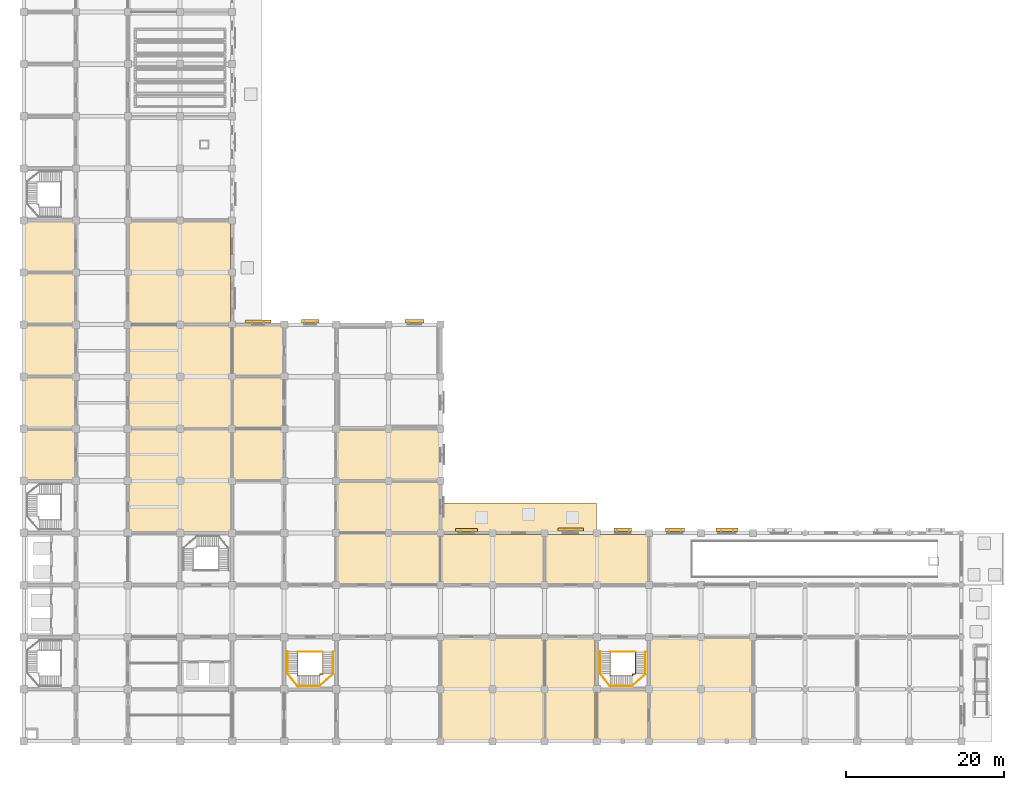
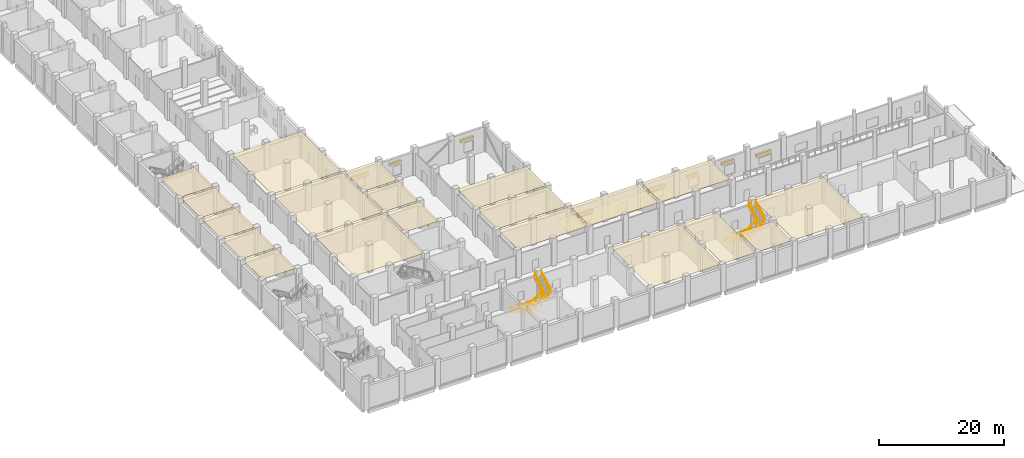
# One storey, part 25 of 28: 21 coverings, 8 shading devices, 6 railings.
"""IFC4 building model written with IfcOpenShell, lengths in metres."""

from ifc_helpers import new_model, si_unit, direction, frame, origin, origin_2d, place, context, subcontext, project, spatial, polyline, rectangle, circle, outline, extrude, material, layer, layer_set, type_object, element, save


model = new_model("IFC4")

# Units and contexts
model_context = context("Model", 3, precision=1e-05, world=origin(), true_north=direction((0.0, 1.0)))
body_context = subcontext(model_context, "Body", "Model", "MODEL_VIEW")
ifc_project = project(units=[si_unit("LENGTHUNIT", "METRE"), si_unit("AREAUNIT", "SQUARE_METRE"), si_unit("VOLUMEUNIT", "CUBIC_METRE"), si_unit("PLANEANGLEUNIT", "RADIAN"), si_unit("MASSUNIT", "GRAM", prefix="KILO")], contexts=[model_context])

# Site, building, storey
site_placement = place(None, origin())
site = spatial("IfcSite", under=ifc_project, at=site_placement, CompositionType="ELEMENT")
building_placement = place(site_placement, origin())
building = spatial("IfcBuilding", under=site, at=building_placement, Name="Rusizi Kubbe Research Institute", CompositionType="ELEMENT")
storey_placement = place(building_placement, origin())
storey = spatial("IfcBuildingStorey", under=building, at=storey_placement, Name="L00", CompositionType="ELEMENT", Elevation=0.0)

# Coverings
ifc_material_1 = material(Name="Mineral-Fibre Acoustic Laboratory Ceiling", Category="masonry")
ifc_layer_1 = layer(ifc_material_1, 0.0400390625)
ifc_layer_set_1 = layer_set([ifc_layer_1], Name="Mineral-Fibre Acoustic Laboratory Ceiling")
covering_type_1 = type_object("IfcCoveringType", Name="CL-ACOUSTIC", PredefinedType="CEILING", material=ifc_layer_set_1)
covering_1_placement = place(storey_placement, frame((0.0, 0.0, 5.010009765625)))
element("IfcCovering", 1, at=covering_1_placement, inside=storey, type_object=covering_type_1, Name="Write-up Office Ceiling L00-ELBW-05", PredefinedType="CEILING", context=body_context, shape_type="SweptSolid", body=[
    extrude(outline(polyline([(26.590087890625, 33.18994140625), (32.81005859375, 33.18994140625), (32.81005859375, 39.409912109375), (26.590087890625, 39.409912109375), (26.590087890625, 33.18994140625)])), origin(), (0.0, 0.0, 1.0), 0.0400390625),
])
covering_2_placement = place(storey_placement, frame((0.0, 0.0, 5.010009765625)))
element("IfcCovering", 2, at=covering_2_placement, inside=storey, type_object=covering_type_1, Name="Write-up Office Ceiling L00-ELBW-06", PredefinedType="CEILING", context=body_context, shape_type="SweptSolid", body=[
    extrude(outline(polyline([(26.590087890625, 39.7900390625), (32.81005859375, 39.7900390625), (32.81005859375, 46.010009765625), (26.590087890625, 46.010009765625), (26.590087890625, 39.7900390625)])), origin(), (0.0, 0.0, 1.0), 0.0400390625),
])
covering_3_placement = place(storey_placement, frame((0.0, 0.0, 5.010009765625)))
element("IfcCovering", 3, at=covering_3_placement, inside=storey, type_object=covering_type_1, Name="Write-up Office Ceiling L00-ELBW-07", PredefinedType="CEILING", context=body_context, shape_type="SweptSolid", body=[
    extrude(outline(polyline([(26.590087890625, 46.389892578125), (32.81005859375, 46.389892578125), (32.81005859375, 52.610107421875), (26.590087890625, 52.610107421875), (26.590087890625, 46.389892578125)])), origin(), (0.0, 0.0, 1.0), 0.0400390625),
])
covering_4_placement = place(storey_placement, frame((0.0, 0.0, 5.010009765625)))
element("IfcCovering", 4, at=covering_4_placement, inside=storey, type_object=covering_type_1, Name="Write-up Office Ceiling L00-ELBE-03", PredefinedType="CEILING", context=body_context, shape_type="SweptSolid", body=[
    extrude(outline(polyline([(39.7900390625, 19.989990234375), (52.610107421875, 19.989990234375), (52.610107421875, 26.2099609375), (39.7900390625, 26.2099609375), (39.7900390625, 19.989990234375)])), origin(), (0.0, 0.0, 1.0), 0.0400390625),
])
covering_5_placement = place(storey_placement, frame((0.0, 0.0, 5.010009765625)))
element("IfcCovering", 5, at=covering_5_placement, inside=storey, type_object=covering_type_1, Name="Write-up Office Ceiling L00-ELBE-04", PredefinedType="CEILING", context=body_context, shape_type="SweptSolid", body=[
    extrude(outline(polyline([(39.7900390625, 26.590087890625), (52.610107421875, 26.590087890625), (52.610107421875, 32.81005859375), (39.7900390625, 32.81005859375), (39.7900390625, 26.590087890625)])), origin(), (0.0, 0.0, 1.0), 0.0400390625),
])
covering_6_placement = place(storey_placement, frame((0.0, 0.0, 5.010009765625)))
element("IfcCovering", 6, at=covering_6_placement, inside=storey, type_object=covering_type_1, Name="Write-up Office Ceiling L00-ELBE-05", PredefinedType="CEILING", context=body_context, shape_type="SweptSolid", body=[
    extrude(outline(polyline([(39.7900390625, 33.18994140625), (52.610107421875, 33.18994140625), (52.610107421875, 39.409912109375), (39.7900390625, 39.409912109375), (39.7900390625, 33.18994140625)])), origin(), (0.0, 0.0, 1.0), 0.0400390625),
])
covering_7_placement = place(storey_placement, frame((0.0, 0.0, 5.010009765625)))
element("IfcCovering", 7, at=covering_7_placement, inside=storey, type_object=covering_type_1, Name="Write-up Office Ceiling L00-NW-02", PredefinedType="CEILING", context=body_context, shape_type="SweptSolid", body=[
    extrude(outline(polyline([(13.389892578125, 26.590087890625), (26.2099609375, 26.590087890625), (26.2099609375, 39.409912109375), (13.389892578125, 39.409912109375), (13.389892578125, 26.590087890625)])), origin(), (0.0, 0.0, 1.0), 0.0400390625),
])
covering_8_placement = place(storey_placement, frame((0.0, 0.0, 5.010009765625)))
element("IfcCovering", 8, at=covering_8_placement, inside=storey, type_object=covering_type_1, Name="Bioscience Wet Laboratory Ceiling L00-NW-03", PredefinedType="CEILING", context=body_context, shape_type="SweptSolid", body=[
    extrude(outline(polyline([(13.389892578125, 39.7900390625), (26.2099609375, 39.7900390625), (26.2099609375, 52.610107421875), (13.389892578125, 52.610107421875), (13.389892578125, 39.7900390625)])), origin(), (0.0, 0.0, 1.0), 0.0400390625),
])
covering_9_placement = place(storey_placement, frame((0.0, 0.0, 5.010009765625)))
element("IfcCovering", 9, at=covering_9_placement, inside=storey, type_object=covering_type_1, Name="Computational Dry Laboratory Ceiling L00-NW-04", PredefinedType="CEILING", context=body_context, shape_type="SweptSolid", body=[
    extrude(outline(polyline([(13.389892578125, 52.989990234375), (26.2099609375, 52.989990234375), (26.2099609375, 65.81005859375), (13.389892578125, 65.81005859375), (13.389892578125, 52.989990234375)])), origin(), (0.0, 0.0, 1.0), 0.0400390625),
])
covering_10_placement = place(storey_placement, frame((0.0, 0.0, 5.010009765625)))
element("IfcCovering", 10, at=covering_10_placement, inside=storey, type_object=covering_type_1, Name="Catalysis Wet Laboratory Ceiling L00-EWS-03", PredefinedType="CEILING", context=body_context, shape_type="SweptSolid", body=[
    extrude(outline(polyline([(66.18994140625, 0.18994140625), (72.409912109375, 0.18994140625), (72.409912109375, 13.010009765625), (66.18994140625, 13.010009765625), (66.18994140625, 0.18994140625)])), origin(), (0.0, 0.0, 1.0), 0.0400390625),
])
covering_11_placement = place(storey_placement, frame((0.0, 0.0, 5.010009765625)))
element("IfcCovering", 11, at=covering_11_placement, inside=storey, type_object=covering_type_1, Name="Laboratory Instrument Support Room Ceiling L00-EWU-11", PredefinedType="CEILING", context=body_context, shape_type="SweptSolid", body=[
    extrude(outline(polyline([(72.7900390625, 0.18994140625), (79.010009765625, 0.18994140625), (79.010009765625, 6.409912109375), (72.7900390625, 6.409912109375), (72.7900390625, 0.18994140625)])), origin(), (0.0, 0.0, 1.0), 0.0400390625),
])
covering_12_placement = place(storey_placement, frame((0.0, 0.0, 5.010009765625)))
element("IfcCovering", 12, at=covering_12_placement, inside=storey, type_object=covering_type_1, Name="Write-up Office Ceiling L00-EWN-01", PredefinedType="CEILING", context=body_context, shape_type="SweptSolid", body=[
    extrude(outline(polyline([(52.989990234375, 19.989990234375), (65.81005859375, 19.989990234375), (65.81005859375, 26.2099609375), (52.989990234375, 26.2099609375), (52.989990234375, 19.989990234375)])), origin(), (0.0, 0.0, 1.0), 0.0400390625),
])
covering_13_placement = place(storey_placement, frame((0.0, 0.0, 5.010009765625)))
element("IfcCovering", 13, at=covering_13_placement, inside=storey, type_object=covering_type_1, Name="Molecular Diagnostics Laboratory Ceiling L00-EWN-02", PredefinedType="CEILING", context=body_context, shape_type="SweptSolid", body=[
    extrude(outline(polyline([(66.18994140625, 19.989990234375), (79.010009765625, 19.989990234375), (79.010009765625, 26.2099609375), (66.18994140625, 26.2099609375), (66.18994140625, 19.989990234375)])), origin(), (0.0, 0.0, 1.0), 0.0400390625),
])
ifc_material_2 = material(Name="Flush Cleanroom Aluminium HEPA Ceiling Grid", Category="aluminium")
ifc_layer_2 = layer(ifc_material_2, 0.044921875)
ifc_layer_set_2 = layer_set([ifc_layer_2], Name="Flush Cleanroom Aluminium HEPA Ceiling Grid")
covering_type_2 = type_object("IfcCoveringType", Name="CL-HEPA", PredefinedType="CEILING", material=ifc_layer_set_2)
covering_14_placement = place(storey_placement, frame((0.0, 0.0, 5.0048828125)))
element("IfcCovering", 14, at=covering_14_placement, inside=storey, type_object=covering_type_2, Name="Clean Room Gowning Airlock Ceiling L00-ALK-05", PredefinedType="CEILING", context=body_context, shape_type="SweptSolid", body=[
    extrude(outline(polyline([(0.18994140625, 33.18994140625), (6.409912109375, 33.18994140625), (6.409912109375, 39.409912109375), (0.18994140625, 39.409912109375), (0.18994140625, 33.18994140625)])), origin(), (0.0, 0.0, 1.0), 0.045166015625),
])
covering_15_placement = place(storey_placement, frame((0.0, 0.0, 5.0048828125)))
element("IfcCovering", 15, at=covering_15_placement, inside=storey, type_object=covering_type_2, Name="ISO-6 Clean Room Suite Ceiling L00-CR-06", PredefinedType="CEILING", context=body_context, shape_type="SweptSolid", body=[
    extrude(outline(polyline([(0.18994140625, 39.7900390625), (6.409912109375, 39.7900390625), (6.409912109375, 46.010009765625), (0.18994140625, 46.010009765625), (0.18994140625, 39.7900390625)])), origin(), (0.0, 0.0, 1.0), 0.045166015625),
])
covering_16_placement = place(storey_placement, frame((0.0, 0.0, 5.0048828125)))
element("IfcCovering", 16, at=covering_16_placement, inside=storey, type_object=covering_type_2, Name="Clean Room Gowning Airlock Ceiling L00-ALK-07", PredefinedType="CEILING", context=body_context, shape_type="SweptSolid", body=[
    extrude(outline(polyline([(0.18994140625, 46.389892578125), (6.409912109375, 46.389892578125), (6.409912109375, 52.610107421875), (0.18994140625, 52.610107421875), (0.18994140625, 46.389892578125)])), origin(), (0.0, 0.0, 1.0), 0.045166015625),
])
covering_17_placement = place(storey_placement, frame((0.0, 0.0, 5.0048828125)))
element("IfcCovering", 17, at=covering_17_placement, inside=storey, type_object=covering_type_2, Name="ISO-6 Clean Room Suite Ceiling L00-CR-08", PredefinedType="CEILING", context=body_context, shape_type="SweptSolid", body=[
    extrude(outline(polyline([(0.18994140625, 52.989990234375), (6.409912109375, 52.989990234375), (6.409912109375, 59.2099609375), (0.18994140625, 59.2099609375), (0.18994140625, 52.989990234375)])), origin(), (0.0, 0.0, 1.0), 0.045166015625),
])
covering_18_placement = place(storey_placement, frame((0.0, 0.0, 5.0048828125)))
element("IfcCovering", 18, at=covering_18_placement, inside=storey, type_object=covering_type_2, Name="Clean Room Metrology Laboratory Ceiling L00-WSP-09", PredefinedType="CEILING", context=body_context, shape_type="SweptSolid", body=[
    extrude(outline(polyline([(0.18994140625, 59.590087890625), (6.409912109375, 59.590087890625), (6.409912109375, 65.81005859375), (0.18994140625, 65.81005859375), (0.18994140625, 59.590087890625)])), origin(), (0.0, 0.0, 1.0), 0.045166015625),
])
covering_19_placement = place(storey_placement, frame((0.0, 0.0, 5.0048828125)))
element("IfcCovering", 19, at=covering_19_placement, inside=storey, type_object=covering_type_2, Name="Clean Room Process Suite Ceiling L00-EWS-02", PredefinedType="CEILING", context=body_context, shape_type="SweptSolid", body=[
    extrude(outline(polyline([(52.989990234375, 0.18994140625), (65.81005859375, 0.18994140625), (65.81005859375, 13.010009765625), (52.989990234375, 13.010009765625), (52.989990234375, 0.18994140625)])), origin(), (0.0, 0.0, 1.0), 0.045166015625),
])
covering_20_placement = place(storey_placement, frame((0.0, 0.0, 5.0048828125)))
element("IfcCovering", 20, at=covering_20_placement, inside=storey, type_object=covering_type_2, Name="Clean Room Process Suite Ceiling L00-EWS-04", PredefinedType="CEILING", context=body_context, shape_type="SweptSolid", body=[
    extrude(outline(polyline([(79.389892578125, 0.18994140625), (92.2099609375, 0.18994140625), (92.2099609375, 13.010009765625), (79.389892578125, 13.010009765625), (79.389892578125, 0.18994140625)])), origin(), (0.0, 0.0, 1.0), 0.045166015625),
])
ifc_material_3 = material(Name="Rwandan Basalt Cobble Paving", Category="masonry")
ifc_layer_3 = layer(ifc_material_3, 0.02001953125)
ifc_layer_set_3 = layer_set([ifc_layer_3], Name="Rwandan Basalt Cobble Paving")
covering_type_3 = type_object("IfcCoveringType", Name="COV-PAVING", PredefinedType="FLOORING", material=ifc_layer_set_3)
covering_21_placement = place(storey_placement, origin())
element("IfcCovering", 21, at=covering_21_placement, inside=storey, type_object=covering_type_3, Name="Site Forecourt Access Paving CLOISTER-SOUTH", PredefinedType="FLOORING", context=body_context, shape_type="SweptSolid", body=[
    extrude(outline(polyline([(52.800048828125, 26.39990234375), (52.800048828125, 30.199951171875), (72.60009765625, 30.199951171875), (72.60009765625, 26.39990234375), (52.800048828125, 26.39990234375)])), origin(), (0.0, 0.0, 1.0), 0.02001953125),
])

# Railings
ifc_material_4 = material(Name="Painted Steel Stair Guard", Category="steel")
railing_type_1 = type_object("IfcRailingType", Name="GR-STAIR", PredefinedType="GUARDRAIL", material=ifc_material_4)
railing_1_placement = place(storey_placement, frame((34.7099609375, 11.3798828125, 0.081787109375)))
element("IfcRailing", 22, at=railing_1_placement, inside=storey, type_object=railing_type_1, Name="Stair Inner Well Guard ST4 L00", PredefinedType="GUARDRAIL", context=body_context, shape_type="SweptSolid", body=[
    extrude(circle(Radius=0.02392578125, at=origin_2d()), frame((0.0, 0.0, 1.09619140625), z_axis=(0.0, -0.855578954063, 0.517672341703), x_axis=(1.0, 0.0, 0.0)), (0.0, 0.0, 1.0), 3.319091796875),
    extrude(circle(Radius=0.02392578125, at=origin_2d()), frame((0.0, -2.83984375, 2.814453125), z_axis=(0.0, -1.0, 0.0), x_axis=(1.0, 0.0, 0.0)), (0.0, 0.0, 1.0), 0.22998046875),
    extrude(circle(Radius=0.02392578125, at=origin_2d()), frame((0.0, -3.06982421875, 2.814453125), z_axis=(-0.439690925609, 0.0, 0.898149146822), x_axis=(0.0, -1.0, 0.0)), (0.0, 0.0, 1.0), 0.091064453125),
    extrude(circle(Radius=0.02392578125, at=origin_2d()), frame((-0.0400390625, -3.06982421875, 2.89599609375), z_axis=(0.85231595241, 0.0, 0.523027262452), x_axis=(0.0, 1.0, 0.0)), (0.0, 0.0, 1.0), 3.28515625),
    extrude(circle(Radius=0.02392578125, at=origin_2d()), frame((2.760009765625, -3.06982421875, 4.6142578125), z_axis=(1.0, 0.0, 0.0), x_axis=(0.0, 1.0, 0.0)), (0.0, 0.0, 1.0), 0.0400390625),
    extrude(circle(Radius=0.02392578125, at=origin_2d()), frame((2.800048828125, -3.06982421875, 4.6142578125), z_axis=(0.0, 1.0, 0.0), x_axis=(-1.0, 0.0, 0.0)), (0.0, 0.0, 1.0), 0.22998046875),
    extrude(circle(Radius=0.02392578125, at=origin_2d()), frame((2.800048828125, -2.83984375, 4.6142578125), z_axis=(1.0, 0.0, 0.0), x_axis=(0.0, 1.0, 0.0)), (0.0, 0.0, 1.0), 0.3798828125),
    extrude(circle(Radius=0.02392578125, at=origin_2d()), frame((3.179931640625, -2.83984375, 4.6142578125), z_axis=(0.0, 0.837638602289, 0.546224836451), x_axis=(-1.0, 0.0, 0.0)), (0.0, 0.0, 1.0), 3.294921875),
    extrude(circle(Radius=0.02099609375, at=origin_2d()), origin(), (0.0, 0.0, 1.0), 1.072021484375),
    extrude(circle(Radius=0.02099609375, at=origin_2d()), frame((0.0, -0.946533203125, 0.57275390625)), (0.0, 0.0, 1.0), 1.072021484375),
    extrude(circle(Radius=0.02099609375, at=origin_2d()), frame((0.0, -1.893310546875, 1.1455078125)), (0.0, 0.0, 1.0), 1.072021484375),
    extrude(circle(Radius=0.02099609375, at=origin_2d()), frame((0.0, -2.83984375, 1.71826171875)), (0.0, 0.0, 1.0), 1.072021484375),
    extrude(circle(Radius=0.02099609375, at=origin_2d()), frame((0.0, -3.06982421875, 1.71826171875)), (0.0, 0.0, 1.0), 1.072021484375),
    extrude(circle(Radius=0.02099609375, at=origin_2d()), frame((-0.0400390625, -3.06982421875, 1.800048828125)), (0.0, 0.0, 1.0), 1.072021484375),
    extrude(circle(Radius=0.02099609375, at=origin_2d()), frame((0.893310546875, -3.06982421875, 2.372802734375)), (0.0, 0.0, 1.0), 1.072021484375),
    extrude(circle(Radius=0.02099609375, at=origin_2d()), frame((1.82666015625, -3.06982421875, 2.945556640625)), (0.0, 0.0, 1.0), 1.072021484375),
    extrude(circle(Radius=0.02099609375, at=origin_2d()), frame((2.760009765625, -3.06982421875, 3.518310546875)), (0.0, 0.0, 1.0), 1.072021484375),
    extrude(circle(Radius=0.02099609375, at=origin_2d()), frame((2.800048828125, -3.06982421875, 3.518310546875)), (0.0, 0.0, 1.0), 1.072021484375),
    extrude(circle(Radius=0.02099609375, at=origin_2d()), frame((2.800048828125, -2.83984375, 3.518310546875)), (0.0, 0.0, 1.0), 1.072021484375),
    extrude(circle(Radius=0.02099609375, at=origin_2d()), frame((3.179931640625, -2.83984375, 3.518310546875)), (0.0, 0.0, 1.0), 1.072021484375),
    extrude(circle(Radius=0.02099609375, at=origin_2d()), frame((3.179931640625, -1.919921875, 4.1181640625)), (0.0, 0.0, 1.0), 1.072021484375),
    extrude(circle(Radius=0.02099609375, at=origin_2d()), frame((3.179931640625, -0.999755859375, 4.71826171875)), (0.0, 0.0, 1.0), 1.072021484375),
    extrude(circle(Radius=0.02099609375, at=origin_2d()), frame((3.179931640625, -0.079833984375, 5.318115234375)), (0.0, 0.0, 1.0), 1.072021484375),
])
railing_2_placement = place(storey_placement, frame((34.7099609375, 11.35009765625, 0.0)))
element("IfcRailing", 23, at=railing_2_placement, inside=storey, type_object=railing_type_1, Name="Stair Floor Edge Guard ST4 L00", PredefinedType="GUARDRAIL", context=body_context, shape_type="SweptSolid", body=[
    extrude(circle(Radius=0.02392578125, at=origin_2d()), frame((0.0, 0.0, 1.09619140625), z_axis=(1.0, 0.0, 0.0), x_axis=(0.0, 1.0, 0.0)), (0.0, 0.0, 1.0), 3.179931640625),
    extrude(circle(Radius=0.02099609375, at=origin_2d()), origin(), (0.0, 0.0, 1.0), 1.072021484375),
    extrude(circle(Radius=0.02099609375, at=origin_2d()), frame((1.06005859375, 0.0, 0.0)), (0.0, 0.0, 1.0), 1.072021484375),
    extrude(circle(Radius=0.02099609375, at=origin_2d()), frame((2.119873046875, 0.0, 0.0)), (0.0, 0.0, 1.0), 1.072021484375),
    extrude(circle(Radius=0.02099609375, at=origin_2d()), frame((3.179931640625, 0.0, 0.0)), (0.0, 0.0, 1.0), 1.072021484375),
])
railing_3_placement = place(storey_placement, frame((74.31005859375, 11.3798828125, 0.081787109375)))
element("IfcRailing", 24, at=railing_3_placement, inside=storey, type_object=railing_type_1, Name="Stair Inner Well Guard ST7 L00", PredefinedType="GUARDRAIL", context=body_context, shape_type="SweptSolid", body=[
    extrude(circle(Radius=0.02392578125, at=origin_2d()), frame((0.0, 0.0, 1.09619140625), z_axis=(0.0, -0.855578954063, 0.517672341703), x_axis=(1.0, 0.0, 0.0)), (0.0, 0.0, 1.0), 3.319091796875),
    extrude(circle(Radius=0.02392578125, at=origin_2d()), frame((0.0, -2.83984375, 2.814453125), z_axis=(0.0, -1.0, 0.0), x_axis=(1.0, 0.0, 0.0)), (0.0, 0.0, 1.0), 0.22998046875),
    extrude(circle(Radius=0.02392578125, at=origin_2d()), frame((0.0, -3.06982421875, 2.814453125), z_axis=(-0.439690925609, 0.0, 0.898149146822), x_axis=(0.0, -1.0, 0.0)), (0.0, 0.0, 1.0), 0.091064453125),
    extrude(circle(Radius=0.02392578125, at=origin_2d()), frame((-0.0400390625, -3.06982421875, 2.89599609375), z_axis=(0.85231595241, 0.0, 0.523027262452), x_axis=(0.0, 1.0, 0.0)), (0.0, 0.0, 1.0), 3.28515625),
    extrude(circle(Radius=0.02392578125, at=origin_2d()), frame((2.760009765625, -3.06982421875, 4.6142578125), z_axis=(1.0, 0.0, 0.0), x_axis=(0.0, 1.0, 0.0)), (0.0, 0.0, 1.0), 0.0400390625),
    extrude(circle(Radius=0.02392578125, at=origin_2d()), frame((2.800048828125, -3.06982421875, 4.6142578125), z_axis=(0.0, 1.0, 0.0), x_axis=(-1.0, 0.0, 0.0)), (0.0, 0.0, 1.0), 0.22998046875),
    extrude(circle(Radius=0.02392578125, at=origin_2d()), frame((2.800048828125, -2.83984375, 4.6142578125), z_axis=(1.0, 0.0, 0.0), x_axis=(0.0, 1.0, 0.0)), (0.0, 0.0, 1.0), 0.3798828125),
    extrude(circle(Radius=0.02392578125, at=origin_2d()), frame((3.179931640625, -2.83984375, 4.6142578125), z_axis=(0.0, 0.837638602289, 0.546224836451), x_axis=(-1.0, 0.0, 0.0)), (0.0, 0.0, 1.0), 3.294921875),
    extrude(circle(Radius=0.02099609375, at=origin_2d()), origin(), (0.0, 0.0, 1.0), 1.072021484375),
    extrude(circle(Radius=0.02099609375, at=origin_2d()), frame((0.0, -0.946533203125, 0.57275390625)), (0.0, 0.0, 1.0), 1.072021484375),
    extrude(circle(Radius=0.02099609375, at=origin_2d()), frame((0.0, -1.893310546875, 1.1455078125)), (0.0, 0.0, 1.0), 1.072021484375),
    extrude(circle(Radius=0.02099609375, at=origin_2d()), frame((0.0, -2.83984375, 1.71826171875)), (0.0, 0.0, 1.0), 1.072021484375),
    extrude(circle(Radius=0.02099609375, at=origin_2d()), frame((0.0, -3.06982421875, 1.71826171875)), (0.0, 0.0, 1.0), 1.072021484375),
    extrude(circle(Radius=0.02099609375, at=origin_2d()), frame((-0.0400390625, -3.06982421875, 1.800048828125)), (0.0, 0.0, 1.0), 1.072021484375),
    extrude(circle(Radius=0.02099609375, at=origin_2d()), frame((0.893310546875, -3.06982421875, 2.372802734375)), (0.0, 0.0, 1.0), 1.072021484375),
    extrude(circle(Radius=0.02099609375, at=origin_2d()), frame((1.82666015625, -3.06982421875, 2.945556640625)), (0.0, 0.0, 1.0), 1.072021484375),
    extrude(circle(Radius=0.02099609375, at=origin_2d()), frame((2.760009765625, -3.06982421875, 3.518310546875)), (0.0, 0.0, 1.0), 1.072021484375),
    extrude(circle(Radius=0.02099609375, at=origin_2d()), frame((2.800048828125, -3.06982421875, 3.518310546875)), (0.0, 0.0, 1.0), 1.072021484375),
    extrude(circle(Radius=0.02099609375, at=origin_2d()), frame((2.800048828125, -2.83984375, 3.518310546875)), (0.0, 0.0, 1.0), 1.072021484375),
    extrude(circle(Radius=0.02099609375, at=origin_2d()), frame((3.179931640625, -2.83984375, 3.518310546875)), (0.0, 0.0, 1.0), 1.072021484375),
    extrude(circle(Radius=0.02099609375, at=origin_2d()), frame((3.179931640625, -1.919921875, 4.1181640625)), (0.0, 0.0, 1.0), 1.072021484375),
    extrude(circle(Radius=0.02099609375, at=origin_2d()), frame((3.179931640625, -0.999755859375, 4.71826171875)), (0.0, 0.0, 1.0), 1.072021484375),
    extrude(circle(Radius=0.02099609375, at=origin_2d()), frame((3.179931640625, -0.079833984375, 5.318115234375)), (0.0, 0.0, 1.0), 1.072021484375),
])
railing_4_placement = place(storey_placement, frame((74.31005859375, 11.35009765625, 0.0)))
element("IfcRailing", 25, at=railing_4_placement, inside=storey, type_object=railing_type_1, Name="Stair Floor Edge Guard ST7 L00", PredefinedType="GUARDRAIL", context=body_context, shape_type="SweptSolid", body=[
    extrude(circle(Radius=0.02392578125, at=origin_2d()), frame((0.0, 0.0, 1.09619140625), z_axis=(1.0, 0.0, 0.0), x_axis=(0.0, 1.0, 0.0)), (0.0, 0.0, 1.0), 3.179931640625),
    extrude(circle(Radius=0.02099609375, at=origin_2d()), origin(), (0.0, 0.0, 1.0), 1.072021484375),
    extrude(circle(Radius=0.02099609375, at=origin_2d()), frame((1.06005859375, 0.0, 0.0)), (0.0, 0.0, 1.0), 1.072021484375),
    extrude(circle(Radius=0.02099609375, at=origin_2d()), frame((2.119873046875, 0.0, 0.0)), (0.0, 0.0, 1.0), 1.072021484375),
    extrude(circle(Radius=0.02099609375, at=origin_2d()), frame((3.179931640625, 0.0, 0.0)), (0.0, 0.0, 1.0), 1.072021484375),
])
ifc_material_5 = material(Name="Brushed Stainless Steel Handrail", Category="steel")
railing_type_2 = type_object("IfcRailingType", Name="HR-STAIR", PredefinedType="HANDRAIL", material=ifc_material_5)
railing_5_placement = place(storey_placement, frame((33.419921875, 11.3798828125, 0.16357421875)))
element("IfcRailing", 26, at=railing_5_placement, inside=storey, type_object=railing_type_2, Name="Stair Wall Handrail ST4 L00", PredefinedType="HANDRAIL", context=body_context, shape_type="SweptSolid", body=[
    extrude(circle(Radius=0.02392578125, at=origin_2d()), frame((0.0, 0.0, 0.8759765625), z_axis=(0.0, -0.863341702679, 0.504619762213), x_axis=(1.0, 0.0, 0.0)), (0.0, 0.0, 1.0), 3.242919921875),
    extrude(circle(Radius=0.02392578125, at=origin_2d()), frame((0.0, -2.7998046875, 2.51220703125), z_axis=(0.623207789907, -0.777792534669, 0.081552581882), x_axis=(0.78039198874, 0.625290607566, 0.0)), (0.0, 0.0, 1.0), 2.005859375),
    extrude(circle(Radius=0.02392578125, at=origin_2d()), frame((1.25, -4.35986328125, 2.67578125), z_axis=(0.863360870873, 0.0, 0.504586966384), x_axis=(0.0, 1.0, 0.0)), (0.0, 0.0, 1.0), 3.2431640625),
    extrude(circle(Radius=0.02392578125, at=origin_2d()), frame((4.050048828125, -4.35986328125, 4.3125), z_axis=(0.752828984738, 0.65426471018, 0.072015336918), x_axis=(-0.655967914614, 0.754788775087, 0.0)), (0.0, 0.0, 1.0), 2.271484375),
    extrude(circle(Radius=0.02392578125, at=origin_2d()), frame((5.760009765625, -2.873779296875, 4.47607421875), z_axis=(0.0, 0.86291342459, 0.505351780112), x_axis=(-1.0, 0.0, 0.0)), (0.0, 0.0, 1.0), 3.23779296875),
    extrude(circle(Radius=0.02099609375, at=origin_2d()), origin(), (0.0, 0.0, 1.0), 0.851806640625),
    extrude(circle(Radius=0.02099609375, at=origin_2d()), frame((0.0, -0.933349609375, 0.54541015625)), (0.0, 0.0, 1.0), 0.851806640625),
    extrude(circle(Radius=0.02099609375, at=origin_2d()), frame((0.0, -1.866455078125, 1.091064453125)), (0.0, 0.0, 1.0), 0.851806640625),
    extrude(circle(Radius=0.02099609375, at=origin_2d()), frame((0.0, -2.7998046875, 1.636474609375)), (0.0, 0.0, 1.0), 0.851806640625),
    extrude(circle(Radius=0.02099609375, at=origin_2d()), frame((0.625, -3.579833984375, 1.71826171875)), (0.0, 0.0, 1.0), 0.851806640625),
    extrude(circle(Radius=0.02099609375, at=origin_2d()), frame((1.25, -4.35986328125, 1.800048828125)), (0.0, 0.0, 1.0), 0.851806640625),
    extrude(circle(Radius=0.02099609375, at=origin_2d()), frame((2.183349609375, -4.35986328125, 2.345458984375)), (0.0, 0.0, 1.0), 0.851806640625),
    extrude(circle(Radius=0.02099609375, at=origin_2d()), frame((3.11669921875, -4.35986328125, 2.89111328125)), (0.0, 0.0, 1.0), 0.851806640625),
    extrude(circle(Radius=0.02099609375, at=origin_2d()), frame((4.050048828125, -4.35986328125, 3.4365234375)), (0.0, 0.0, 1.0), 0.851806640625),
    extrude(circle(Radius=0.02099609375, at=origin_2d()), frame((4.905029296875, -3.61669921875, 3.518310546875)), (0.0, 0.0, 1.0), 0.851806640625),
    extrude(circle(Radius=0.02099609375, at=origin_2d()), frame((5.760009765625, -2.873779296875, 3.60009765625)), (0.0, 0.0, 1.0), 0.851806640625),
    extrude(circle(Radius=0.02099609375, at=origin_2d()), frame((5.760009765625, -1.9423828125, 4.1455078125)), (0.0, 0.0, 1.0), 0.851806640625),
    extrude(circle(Radius=0.02099609375, at=origin_2d()), frame((5.760009765625, -1.01123046875, 4.69091796875)), (0.0, 0.0, 1.0), 0.851806640625),
    extrude(circle(Radius=0.02099609375, at=origin_2d()), frame((5.760009765625, -0.079833984375, 5.236328125)), (0.0, 0.0, 1.0), 0.851806640625),
])
railing_6_placement = place(storey_placement, frame((73.02001953125, 11.3798828125, 0.16357421875)))
element("IfcRailing", 27, at=railing_6_placement, inside=storey, type_object=railing_type_2, Name="Stair Wall Handrail ST7 L00", PredefinedType="HANDRAIL", context=body_context, shape_type="SweptSolid", body=[
    extrude(circle(Radius=0.02392578125, at=origin_2d()), frame((0.0, 0.0, 0.8759765625), z_axis=(0.0, -0.863341702679, 0.504619762213), x_axis=(1.0, 0.0, 0.0)), (0.0, 0.0, 1.0), 3.242919921875),
    extrude(circle(Radius=0.02392578125, at=origin_2d()), frame((0.0, -2.7998046875, 2.51220703125), z_axis=(0.623207789907, -0.777792534669, 0.081552581882), x_axis=(0.78039198874, 0.625290607566, 0.0)), (0.0, 0.0, 1.0), 2.005859375),
    extrude(circle(Radius=0.02392578125, at=origin_2d()), frame((1.25, -4.35986328125, 2.67578125), z_axis=(0.863360870873, 0.0, 0.504586966384), x_axis=(0.0, 1.0, 0.0)), (0.0, 0.0, 1.0), 3.2431640625),
    extrude(circle(Radius=0.02392578125, at=origin_2d()), frame((4.050048828125, -4.35986328125, 4.3125), z_axis=(0.752828984738, 0.65426471018, 0.072015336918), x_axis=(-0.655967914614, 0.754788775087, 0.0)), (0.0, 0.0, 1.0), 2.271484375),
    extrude(circle(Radius=0.02392578125, at=origin_2d()), frame((5.760009765625, -2.873779296875, 4.47607421875), z_axis=(0.0, 0.86291342459, 0.505351780112), x_axis=(-1.0, 0.0, 0.0)), (0.0, 0.0, 1.0), 3.23779296875),
    extrude(circle(Radius=0.02099609375, at=origin_2d()), origin(), (0.0, 0.0, 1.0), 0.851806640625),
    extrude(circle(Radius=0.02099609375, at=origin_2d()), frame((0.0, -0.933349609375, 0.54541015625)), (0.0, 0.0, 1.0), 0.851806640625),
    extrude(circle(Radius=0.02099609375, at=origin_2d()), frame((0.0, -1.866455078125, 1.091064453125)), (0.0, 0.0, 1.0), 0.851806640625),
    extrude(circle(Radius=0.02099609375, at=origin_2d()), frame((0.0, -2.7998046875, 1.636474609375)), (0.0, 0.0, 1.0), 0.851806640625),
    extrude(circle(Radius=0.02099609375, at=origin_2d()), frame((0.625, -3.579833984375, 1.71826171875)), (0.0, 0.0, 1.0), 0.851806640625),
    extrude(circle(Radius=0.02099609375, at=origin_2d()), frame((1.25, -4.35986328125, 1.800048828125)), (0.0, 0.0, 1.0), 0.851806640625),
    extrude(circle(Radius=0.02099609375, at=origin_2d()), frame((2.183349609375, -4.35986328125, 2.345458984375)), (0.0, 0.0, 1.0), 0.851806640625),
    extrude(circle(Radius=0.02099609375, at=origin_2d()), frame((3.11669921875, -4.35986328125, 2.89111328125)), (0.0, 0.0, 1.0), 0.851806640625),
    extrude(circle(Radius=0.02099609375, at=origin_2d()), frame((4.050048828125, -4.35986328125, 3.4365234375)), (0.0, 0.0, 1.0), 0.851806640625),
    extrude(circle(Radius=0.02099609375, at=origin_2d()), frame((4.905029296875, -3.61669921875, 3.518310546875)), (0.0, 0.0, 1.0), 0.851806640625),
    extrude(circle(Radius=0.02099609375, at=origin_2d()), frame((5.760009765625, -2.873779296875, 3.60009765625)), (0.0, 0.0, 1.0), 0.851806640625),
    extrude(circle(Radius=0.02099609375, at=origin_2d()), frame((5.760009765625, -1.9423828125, 4.1455078125)), (0.0, 0.0, 1.0), 0.851806640625),
    extrude(circle(Radius=0.02099609375, at=origin_2d()), frame((5.760009765625, -1.01123046875, 4.69091796875)), (0.0, 0.0, 1.0), 0.851806640625),
    extrude(circle(Radius=0.02099609375, at=origin_2d()), frame((5.760009765625, -0.079833984375, 5.236328125)), (0.0, 0.0, 1.0), 0.851806640625),
])

# Shading devices
ifc_material_6 = material(Name="Extruded Aluminium Solar Louver", Category="aluminium")
shading_device_type_1 = type_object("IfcShadingDeviceType", Name="SD-01", PredefinedType="SHUTTER", material=ifc_material_6)
for number, where, z_axis, x_axis, name in (
    (28, (49.5, 53.219970703125, 2.75), (0.0, 0.0, 1.0), (1.0, 0.0, 0.0), "Solar Shading Louver SD-01-004"),
    (29, (82.5, 26.8125, 2.75), (0.0, 0.0, 1.0), (1.0, 0.0, 0.0), "Solar Shading Louver SD-01-008"),
):
    element("IfcShadingDevice", number, at=place(storey_placement, frame(where, z_axis=z_axis, x_axis=x_axis)), inside=storey, type_object=shading_device_type_1, Name=name, PredefinedType="SHUTTER", context=body_context, shape_type="SweptSolid", body=[
        extrude(rectangle(XDim=2.39990234375, YDim=0.419921875, at=origin_2d()), origin(), (0.0, 0.0, 1.0), 0.60009765625),
    ])
ifc_material_7 = material(Name="Extruded Aluminium Solar Louver", Category="aluminium")
shading_device_type_2 = type_object("IfcShadingDeviceType", Name="SD-02", PredefinedType="SHUTTER", material=ifc_material_7)
for number, where, z_axis, x_axis, name in (
    (30, (56.10009765625, 26.782470703125, 2.0400390625), (0.0, 0.0, 1.0), (1.0, 0.0, 0.0), "Solar Shading Louver SD-02-005"),
    (31, (89.10009765625, 26.804931640625, 2.0400390625), (0.0, 0.0, 1.0), (1.0, 0.0, 0.0), "Solar Shading Louver SD-02-009"),
):
    element("IfcShadingDevice", number, at=place(storey_placement, frame(where, z_axis=z_axis, x_axis=x_axis)), inside=storey, type_object=shading_device_type_2, Name=name, PredefinedType="SHUTTER", context=body_context, shape_type="SweptSolid", body=[
        extrude(rectangle(XDim=2.800048828125, YDim=0.419921875, at=origin_2d()), origin(), (0.0, 0.0, 1.0), 0.699951171875),
    ])
ifc_material_8 = material(Name="Extruded Aluminium Solar Louver", Category="aluminium")
shading_device_type_3 = type_object("IfcShadingDeviceType", Name="SD-03", PredefinedType="SHUTTER", material=ifc_material_8)
for number, where, z_axis, x_axis, name in (
    (32, (29.699951171875, 53.1826171875, 2.505126953125), (0.0, 0.0, 1.0), (1.0, 0.0, 0.0), "Solar Shading Louver SD-03-002"),
    (33, (69.300048828125, 26.830078125, 2.28515625), (0.0, 0.0, 1.0), (1.0, 0.0, 0.0), "Solar Shading Louver SD-03-006"),
):
    element("IfcShadingDevice", number, at=place(storey_placement, frame(where, z_axis=z_axis, x_axis=x_axis)), inside=storey, type_object=shading_device_type_3, Name=name, PredefinedType="SHUTTER", context=body_context, shape_type="SweptSolid", body=[
        extrude(rectangle(XDim=3.199951171875, YDim=0.419921875, at=origin_2d()), origin(), (0.0, 0.0, 1.0), 0.64990234375),
    ])
ifc_material_9 = material(Name="Extruded Aluminium Solar Louver", Category="aluminium")
shading_device_type_4 = type_object("IfcShadingDeviceType", Name="SD-04", PredefinedType="SHUTTER", material=ifc_material_9)
for number, where, z_axis, x_axis, name in (
    (34, (36.300048828125, 53.239990234375, 2.77490234375), (0.0, 0.0, 1.0), (1.0, 0.0, 0.0), "Solar Shading Louver SD-04-003"),
    (35, (75.89990234375, 26.820068359375, 2.55517578125), (0.0, 0.0, 1.0), (1.0, 0.0, 0.0), "Solar Shading Louver SD-04-007"),
):
    element("IfcShadingDevice", number, at=place(storey_placement, frame(where, z_axis=z_axis, x_axis=x_axis)), inside=storey, type_object=shading_device_type_4, Name=name, PredefinedType="SHUTTER", context=body_context, shape_type="SweptSolid", body=[
        extrude(rectangle(XDim=2.199951171875, YDim=0.419921875, at=origin_2d()), origin(), (0.0, 0.0, 1.0), 0.550048828125),
    ])

save(model, "model.ifc")
